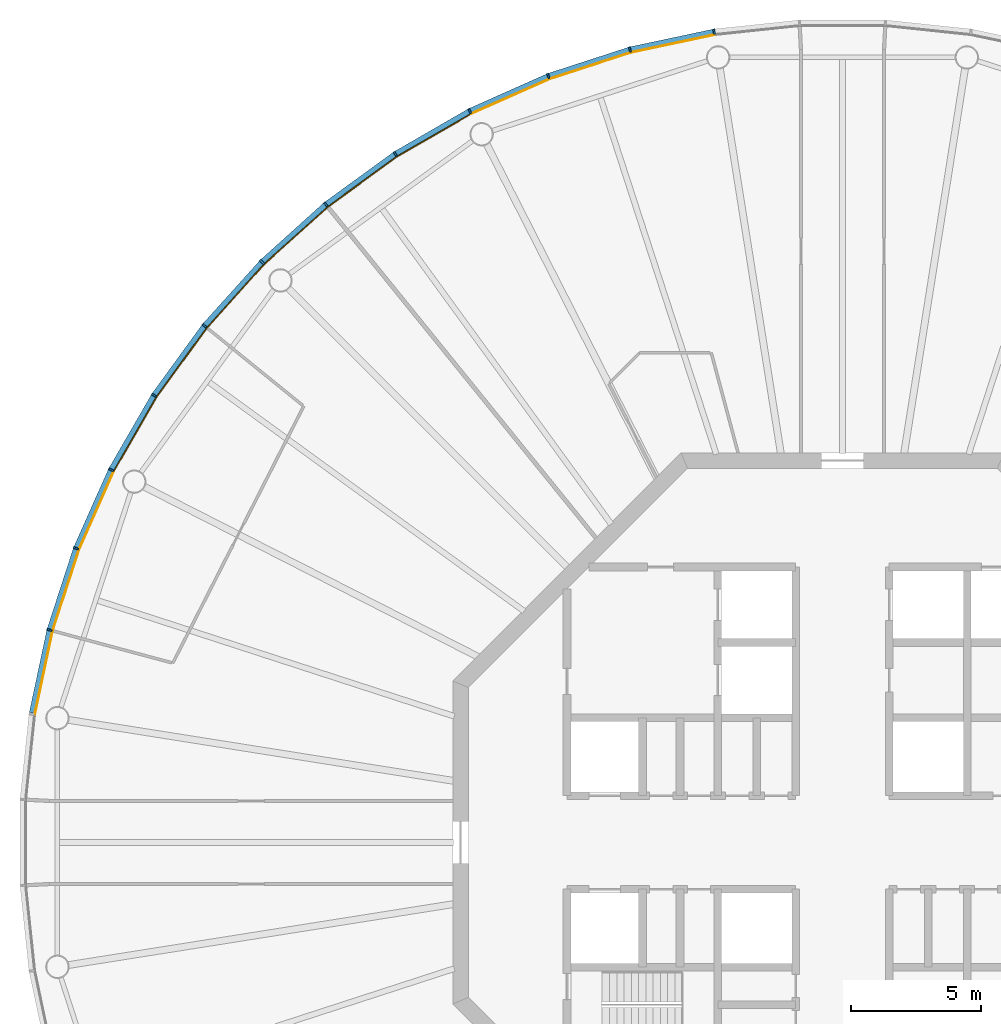
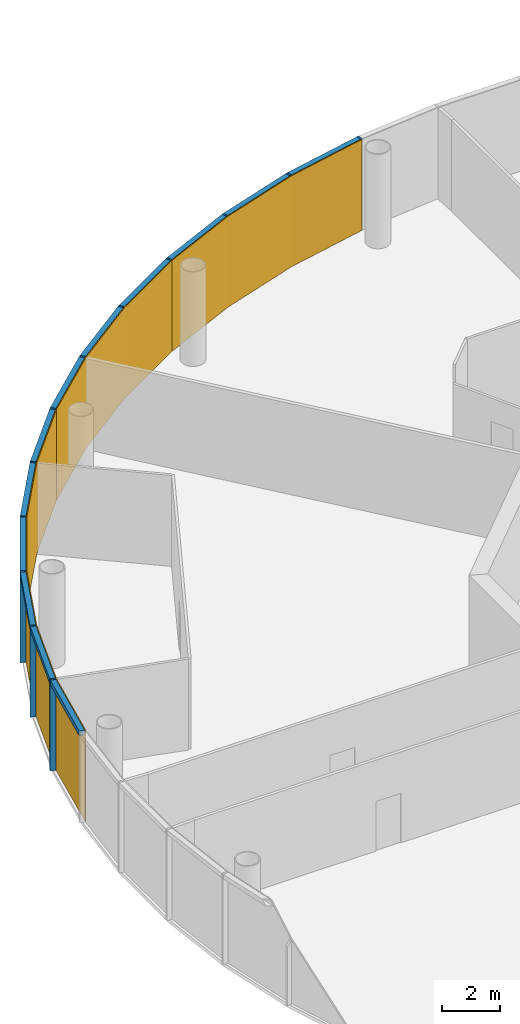
# One storey, part 10 of 13: 24 members, 4 curtain walls.
"""IFC4 building model written with IfcOpenShell, lengths in metres."""

from ifc_helpers import new_model, si_unit, direction, frame, origin, origin_2d, place, context, subcontext, project, spatial, polyline, rectangle, outline, extrude, material, layer, layer_set, material_profile, profile_set, type_object, element, aggregate, save


model = new_model("IFC4")

# Units and contexts
model_context = context("Model", 3, precision=1e-05, world=origin(), true_north=direction((0.0, 1.0)))
body_context = subcontext(model_context, "Body", "Model", "MODEL_VIEW")
ifc_project = project(units=[si_unit("LENGTHUNIT", "METRE"), si_unit("AREAUNIT", "SQUARE_METRE"), si_unit("VOLUMEUNIT", "CUBIC_METRE"), si_unit("PLANEANGLEUNIT", "RADIAN"), si_unit("MASSUNIT", "GRAM", prefix="KILO")], contexts=[model_context])

# Member
ifc_material_1 = material(Name="Anodised aluminium", Category="aluminium")
ifc_material_profile_1 = material_profile(ifc_material_1, rectangle(XDim=0.070068359375, YDim=0.205078125, at=origin_2d()), Name="Mullion 70 x 205 mm anodised aluminium")
ifc_profile_set_1 = profile_set([ifc_material_profile_1], Name="Anodised aluminium")
member_type_1 = type_object("IfcMemberType", Name="Mullion 70 x 205 mm anodised aluminium", PredefinedType="MULLION", material=ifc_profile_set_1)
site_placement = place(None, origin())
building_placement = place(site_placement, origin())
storey_placement = place(building_placement, frame((0.0, 0.0, 384.0)))
member_1_placement = place(storey_placement, frame((85.056396484375, 111.21337890625, 0.0), z_axis=(0.0, 0.0, 1.0), x_axis=(-0.987688340595, -0.15643446504, 0.0)))
member_1 = element("IfcMember", 1, at=member_1_placement, type_object=member_type_1, Name="MULLION L89-15", PredefinedType="MULLION", context=body_context, shape_type="SweptSolid", body=[
    extrude(rectangle(XDim=0.070068359375, YDim=0.205078125, at=origin_2d()), origin(), (0.0, 0.0, 1.0), 3.85009765625),
])

member_2_placement = place(storey_placement, frame((81.820556640625, 110.525634765625, 0.0), z_axis=(0.0, 0.0, 1.0), x_axis=(-0.965925826289, -0.258819045103, 0.0)))
member_2 = element("IfcMember", 2, at=member_2_placement, type_object=member_type_1, Name="MULLION L89-16", PredefinedType="MULLION", context=body_context, shape_type="SweptSolid", body=[
    extrude(rectangle(XDim=0.070068359375, YDim=0.205078125, at=origin_2d()), origin(), (0.0, 0.0, 1.0), 3.85009765625),
])

member_3_placement = place(storey_placement, frame((78.674560546875, 109.50341796875, 0.0), z_axis=(0.0, 0.0, 1.0), x_axis=(-0.933580426497, -0.358367949545, 0.0)))
member_3 = element("IfcMember", 3, at=member_3_placement, type_object=member_type_1, Name="MULLION L89-17", PredefinedType="MULLION", context=body_context, shape_type="SweptSolid", body=[
    extrude(rectangle(XDim=0.070068359375, YDim=0.205078125, at=origin_2d()), origin(), (0.0, 0.0, 1.0), 3.85009765625),
])

member_4_placement = place(storey_placement, frame((75.65283203125, 108.157958984375, 0.0), z_axis=(0.0, 0.0, 1.0), x_axis=(-0.891006524188, -0.45399049974, 0.0)))
member_4 = element("IfcMember", 4, at=member_4_placement, type_object=member_type_1, Name="MULLION L89-18", PredefinedType="MULLION", context=body_context, shape_type="SweptSolid", body=[
    extrude(rectangle(XDim=0.070068359375, YDim=0.205078125, at=origin_2d()), origin(), (0.0, 0.0, 1.0), 3.85009765625),
])

member_5_placement = place(storey_placement, frame((72.7880859375, 106.504150390625, 0.0), z_axis=(0.0, 0.0, 1.0), x_axis=(-0.838670567945, -0.544639035015, 0.0)))
member_5 = element("IfcMember", 5, at=member_5_placement, type_object=member_type_1, Name="MULLION L89-19", PredefinedType="MULLION", context=body_context, shape_type="SweptSolid", body=[
    extrude(rectangle(XDim=0.070068359375, YDim=0.205078125, at=origin_2d()), origin(), (0.0, 0.0, 1.0), 3.85009765625),
])

member_6_placement = place(storey_placement, frame((70.11181640625, 104.559814453125, 0.0), z_axis=(0.0, 0.0, 1.0), x_axis=(-0.777145961457, -0.62932039105, 0.0)))
member_6 = element("IfcMember", 6, at=member_6_placement, type_object=member_type_1, Name="MULLION L89-20", PredefinedType="MULLION", context=body_context, shape_type="SweptSolid", body=[
    extrude(rectangle(XDim=0.070068359375, YDim=0.205078125, at=origin_2d()), origin(), (0.0, 0.0, 1.0), 3.85009765625),
])

member_7_placement = place(storey_placement, frame((67.653564453125, 102.346435546875, 0.0), z_axis=(0.0, 0.0, 1.0), x_axis=(-0.707106781187, -0.707106781187, 0.0)))
member_7 = element("IfcMember", 7, at=member_7_placement, type_object=member_type_1, Name="MULLION L89-21", PredefinedType="MULLION", context=body_context, shape_type="SweptSolid", body=[
    extrude(rectangle(XDim=0.070068359375, YDim=0.205078125, at=origin_2d()), origin(), (0.0, 0.0, 1.0), 3.85009765625),
])

member_8_placement = place(storey_placement, frame((65.440185546875, 99.88818359375, 0.0), z_axis=(0.0, 0.0, 1.0), x_axis=(-0.62932039105, -0.777145961457, 0.0)))
member_8 = element("IfcMember", 8, at=member_8_placement, type_object=member_type_1, Name="MULLION L89-22", PredefinedType="MULLION", context=body_context, shape_type="SweptSolid", body=[
    extrude(rectangle(XDim=0.070068359375, YDim=0.205078125, at=origin_2d()), origin(), (0.0, 0.0, 1.0), 3.85009765625),
])

member_9_placement = place(storey_placement, frame((63.495849609375, 97.2119140625, 0.0), z_axis=(0.0, 0.0, 1.0), x_axis=(-0.544639035015, -0.838670567945, 0.0)))
member_9 = element("IfcMember", 9, at=member_9_placement, type_object=member_type_1, Name="MULLION L89-23", PredefinedType="MULLION", context=body_context, shape_type="SweptSolid", body=[
    extrude(rectangle(XDim=0.070068359375, YDim=0.205078125, at=origin_2d()), origin(), (0.0, 0.0, 1.0), 3.85009765625),
])

member_10_placement = place(storey_placement, frame((61.842041015625, 94.34716796875, 0.0), z_axis=(0.0, 0.0, 1.0), x_axis=(-0.45399049974, -0.891006524188, 0.0)))
member_10 = element("IfcMember", 10, at=member_10_placement, type_object=member_type_1, Name="MULLION L89-24", PredefinedType="MULLION", context=body_context, shape_type="SweptSolid", body=[
    extrude(rectangle(XDim=0.070068359375, YDim=0.205078125, at=origin_2d()), origin(), (0.0, 0.0, 1.0), 3.85009765625),
])

member_11_placement = place(storey_placement, frame((60.49658203125, 91.325439453125, 0.0), z_axis=(0.0, 0.0, 1.0), x_axis=(-0.358367949545, -0.933580426497, 0.0)))
member_11 = element("IfcMember", 11, at=member_11_placement, type_object=member_type_1, Name="MULLION L89-25", PredefinedType="MULLION", context=body_context, shape_type="SweptSolid", body=[
    extrude(rectangle(XDim=0.070068359375, YDim=0.205078125, at=origin_2d()), origin(), (0.0, 0.0, 1.0), 3.85009765625),
])

member_12_placement = place(storey_placement, frame((59.474365234375, 88.179443359375, 0.0), z_axis=(0.0, 0.0, 1.0), x_axis=(-0.258819045103, -0.965925826289, 0.0)))
member_12 = element("IfcMember", 12, at=member_12_placement, type_object=member_type_1, Name="MULLION L89-26", PredefinedType="MULLION", context=body_context, shape_type="SweptSolid", body=[
    extrude(rectangle(XDim=0.070068359375, YDim=0.205078125, at=origin_2d()), origin(), (0.0, 0.0, 1.0), 3.85009765625),
])

ifc_material_2 = material(Name="Anodised aluminium", Category="aluminium")
ifc_material_profile_2 = material_profile(ifc_material_2, rectangle(XDim=0.205078125, YDim=0.195068359375, at=origin_2d()), Name="Transom 195 x 205 mm anodised aluminium")
ifc_profile_set_2 = profile_set([ifc_material_profile_2], Name="Anodised aluminium")
member_type_2 = type_object("IfcMemberType", Name="Transom 195 x 205 mm anodised aluminium", PredefinedType="USERDEFINED", material=ifc_profile_set_2)
member_13_placement = place(storey_placement, frame((85.016845703125, 111.205078125, 3.75244140625), z_axis=(-0.978153082647, -0.207885898771, 0.0), x_axis=(0.207885898771, -0.978153082647, 0.0)))
member_13 = element("IfcMember", 13, at=member_13_placement, type_object=member_type_2, Name="TRANSOM L89-15", ObjectType="TRANSOM", PredefinedType="USERDEFINED", context=body_context, shape_type="SweptSolid", body=[
    extrude(rectangle(XDim=0.205078125, YDim=0.195068359375, at=origin_2d()), origin(), (0.0, 0.0, 1.0), 3.227294921875),
])

member_14_placement = place(storey_placement, frame((81.7822265625, 110.513427734375, 3.75244140625), z_axis=(-0.951046855117, -0.309046726844, 0.0), x_axis=(0.309046726844, -0.951046855117, 0.0)))
member_14 = element("IfcMember", 14, at=member_14_placement, type_object=member_type_2, Name="TRANSOM L89-16", ObjectType="TRANSOM", PredefinedType="USERDEFINED", context=body_context, shape_type="SweptSolid", body=[
    extrude(rectangle(XDim=0.205078125, YDim=0.195068359375, at=origin_2d()), origin(), (0.0, 0.0, 1.0), 3.22705078125),
])

member_15_placement = place(storey_placement, frame((78.6376953125, 109.4873046875, 3.75244140625), z_axis=(-0.913521178731, -0.406791170024, 0.0), x_axis=(0.406791170024, -0.913521178731, 0.0)))
member_15 = element("IfcMember", 15, at=member_15_placement, type_object=member_type_2, Name="TRANSOM L89-17", ObjectType="TRANSOM", PredefinedType="USERDEFINED", context=body_context, shape_type="SweptSolid", body=[
    extrude(rectangle(XDim=0.205078125, YDim=0.195068359375, at=origin_2d()), origin(), (0.0, 0.0, 1.0), 3.22705078125),
])

member_16_placement = place(storey_placement, frame((75.61767578125, 108.137939453125, 3.75244140625), z_axis=(-0.866023062494, -0.500004055213, 0.0), x_axis=(0.500004055213, -0.866023062494, 0.0)))
member_16 = element("IfcMember", 16, at=member_16_placement, type_object=member_type_2, Name="TRANSOM L89-18", ObjectType="TRANSOM", PredefinedType="USERDEFINED", context=body_context, shape_type="SweptSolid", body=[
    extrude(rectangle(XDim=0.205078125, YDim=0.195068359375, at=origin_2d()), origin(), (0.0, 0.0, 1.0), 3.22705078125),
])

member_17_placement = place(storey_placement, frame((72.75537109375, 106.48046875, 3.75244140625), z_axis=(-0.809004252048, -0.587802790201, 0.0), x_axis=(0.587802790201, -0.809004252048, 0.0)))
member_17 = element("IfcMember", 17, at=member_17_placement, type_object=member_type_2, Name="TRANSOM L89-19", ObjectType="TRANSOM", PredefinedType="USERDEFINED", context=body_context, shape_type="SweptSolid", body=[
    extrude(rectangle(XDim=0.205078125, YDim=0.195068359375, at=origin_2d()), origin(), (0.0, 0.0, 1.0), 3.227294921875),
])

member_18_placement = place(storey_placement, frame((70.081787109375, 104.532958984375, 3.75244140625), z_axis=(-0.743132370743, -0.669144438484, 0.0), x_axis=(0.669144438484, -0.743132370743, 0.0)))
member_18 = element("IfcMember", 18, at=member_18_placement, type_object=member_type_2, Name="TRANSOM L89-20", ObjectType="TRANSOM", PredefinedType="USERDEFINED", context=body_context, shape_type="SweptSolid", body=[
    extrude(rectangle(XDim=0.205078125, YDim=0.195068359375, at=origin_2d()), origin(), (0.0, 0.0, 1.0), 3.22705078125),
])

member_19_placement = place(storey_placement, frame((67.62646484375, 102.31640625, 3.75244140625), z_axis=(-0.669144438484, -0.743132370743, 0.0), x_axis=(0.743132370743, -0.669144438484, 0.0)))
member_19 = element("IfcMember", 19, at=member_19_placement, type_object=member_type_2, Name="TRANSOM L89-21", ObjectType="TRANSOM", PredefinedType="USERDEFINED", context=body_context, shape_type="SweptSolid", body=[
    extrude(rectangle(XDim=0.205078125, YDim=0.195068359375, at=origin_2d()), origin(), (0.0, 0.0, 1.0), 3.22705078125),
])

member_20_placement = place(storey_placement, frame((65.41650390625, 99.85546875, 3.75244140625), z_axis=(-0.587802790201, -0.809004252048, 0.0), x_axis=(0.809004252048, -0.587802790201, 0.0)))
member_20 = element("IfcMember", 20, at=member_20_placement, type_object=member_type_2, Name="TRANSOM L89-22", ObjectType="TRANSOM", PredefinedType="USERDEFINED", context=body_context, shape_type="SweptSolid", body=[
    extrude(rectangle(XDim=0.205078125, YDim=0.195068359375, at=origin_2d()), origin(), (0.0, 0.0, 1.0), 3.227294921875),
])

member_21_placement = place(storey_placement, frame((63.4755859375, 97.177001953125, 3.75244140625), z_axis=(-0.500004055213, -0.866023062494, 0.0), x_axis=(0.866023062494, -0.500004055213, 0.0)))
member_21 = element("IfcMember", 21, at=member_21_placement, type_object=member_type_2, Name="TRANSOM L89-23", ObjectType="TRANSOM", PredefinedType="USERDEFINED", context=body_context, shape_type="SweptSolid", body=[
    extrude(rectangle(XDim=0.205078125, YDim=0.195068359375, at=origin_2d()), origin(), (0.0, 0.0, 1.0), 3.22705078125),
])

member_22_placement = place(storey_placement, frame((61.825439453125, 94.310302734375, 3.75244140625), z_axis=(-0.406791170024, -0.913521178731, 0.0), x_axis=(0.913521178731, -0.406791170024, 0.0)))
member_22 = element("IfcMember", 22, at=member_22_placement, type_object=member_type_2, Name="TRANSOM L89-24", ObjectType="TRANSOM", PredefinedType="USERDEFINED", context=body_context, shape_type="SweptSolid", body=[
    extrude(rectangle(XDim=0.205078125, YDim=0.195068359375, at=origin_2d()), origin(), (0.0, 0.0, 1.0), 3.22705078125),
])

member_23_placement = place(storey_placement, frame((60.48388671875, 91.286865234375, 3.75244140625), z_axis=(-0.309046726844, -0.951046855117, 0.0), x_axis=(0.951046855117, -0.309046726844, 0.0)))
member_23 = element("IfcMember", 23, at=member_23_placement, type_object=member_type_2, Name="TRANSOM L89-25", ObjectType="TRANSOM", PredefinedType="USERDEFINED", context=body_context, shape_type="SweptSolid", body=[
    extrude(rectangle(XDim=0.205078125, YDim=0.195068359375, at=origin_2d()), origin(), (0.0, 0.0, 1.0), 3.22705078125),
])

member_24_placement = place(storey_placement, frame((59.4658203125, 88.139892578125, 3.75244140625), z_axis=(-0.207885898771, -0.978153082647, 0.0), x_axis=(0.978153082647, -0.207885898771, 0.0)))
member_24 = element("IfcMember", 24, at=member_24_placement, type_object=member_type_2, Name="TRANSOM L89-26", ObjectType="TRANSOM", PredefinedType="USERDEFINED", context=body_context, shape_type="SweptSolid", body=[
    extrude(rectangle(XDim=0.205078125, YDim=0.195068359375, at=origin_2d()), origin(), (0.0, 0.0, 1.0), 3.227294921875),
])

# Site, building, storey
site = spatial("IfcSite", under=ifc_project, at=site_placement, CompositionType="ELEMENT")
building = spatial("IfcBuilding", under=site, at=building_placement, Name="Entoto Ring Tower", CompositionType="ELEMENT")
storey = spatial("IfcBuildingStorey", under=building, at=storey_placement, Name="L89", CompositionType="ELEMENT", Elevation=384.0)

# Curtain wall
ifc_material_3 = material(Name="Clear low-iron glass", Category="glass")
ifc_layer = layer(ifc_material_3, 0.035888671875)
ifc_layer_set = layer_set([ifc_layer], Name="Clear low-iron glass")
curtain_wall_type = type_object("IfcCurtainWallType", Name="Curtain wall system CW6 glazing 36 mm", PredefinedType="NOTDEFINED", material=ifc_layer_set)
curtain_wall_1_placement = place(storey_placement, origin())
curtain_wall_1 = element("IfcCurtainWall", 25, at=curtain_wall_1_placement, inside=storey, type_object=curtain_wall_type, Name="CW6 L89-06", PredefinedType="NOTDEFINED", context=body_context, shape_type="SweptSolid", body=[
    extrude(outline(polyline([(85.072265625, 111.1123046875), (81.84716796875, 110.4267578125), (78.71142578125, 109.40771484375), (75.69921875, 108.066650390625), (75.715576171875, 108.03466796875), (78.724365234375, 109.3740234375), (81.8564453125, 110.391845703125), (85.077880859375, 111.07666015625), (85.072265625, 111.1123046875)])), origin(), (0.0, 0.0, 1.0), 3.85009765625),
])

aggregate(curtain_wall_1, [member_1, member_2, member_3, member_13, member_14, member_15])

curtain_wall_2_placement = place(storey_placement, origin())
curtain_wall_2 = element("IfcCurtainWall", 26, at=curtain_wall_2_placement, inside=storey, type_object=curtain_wall_type, Name="CW6 L89-07", PredefinedType="NOTDEFINED", context=body_context, shape_type="SweptSolid", body=[
    extrude(outline(polyline([(75.69921875, 108.066650390625), (72.84375, 106.418212890625), (70.176513671875, 104.47998046875), (67.72607421875, 102.27392578125), (67.751708984375, 102.248291015625), (70.198974609375, 104.4521484375), (72.863525390625, 106.387939453125), (75.715576171875, 108.03466796875), (75.69921875, 108.066650390625)])), origin(), (0.0, 0.0, 1.0), 3.85009765625),
])

aggregate(curtain_wall_2, [member_4, member_5, member_6, member_16, member_17, member_18])

curtain_wall_3_placement = place(storey_placement, origin())
curtain_wall_3 = element("IfcCurtainWall", 27, at=curtain_wall_3_placement, inside=storey, type_object=curtain_wall_type, Name="CW6 L89-08", PredefinedType="NOTDEFINED", context=body_context, shape_type="SweptSolid", body=[
    extrude(outline(polyline([(67.72607421875, 102.27392578125), (65.52001953125, 99.823486328125), (63.581787109375, 97.15625), (61.933349609375, 94.30078125), (61.96533203125, 94.284423828125), (63.612060546875, 97.136474609375), (65.5478515625, 99.801025390625), (67.751708984375, 102.248291015625), (67.72607421875, 102.27392578125)])), origin(), (0.0, 0.0, 1.0), 3.85009765625),
])

aggregate(curtain_wall_3, [member_7, member_8, member_9, member_19, member_20, member_21])

curtain_wall_4_placement = place(storey_placement, origin())
curtain_wall_4 = element("IfcCurtainWall", 28, at=curtain_wall_4_placement, inside=storey, type_object=curtain_wall_type, Name="CW6 L89-09", PredefinedType="NOTDEFINED", context=body_context, shape_type="SweptSolid", body=[
    extrude(outline(polyline([(61.933349609375, 94.30078125), (60.59228515625, 91.28857421875), (59.5732421875, 88.15283203125), (58.8876953125, 84.927734375), (58.92333984375, 84.922119140625), (59.608154296875, 88.1435546875), (60.6259765625, 91.275634765625), (61.96533203125, 94.284423828125), (61.933349609375, 94.30078125)])), origin(), (0.0, 0.0, 1.0), 3.85009765625),
])

aggregate(curtain_wall_4, [member_10, member_11, member_12, member_22, member_23, member_24])

save(model, "model.ifc")
